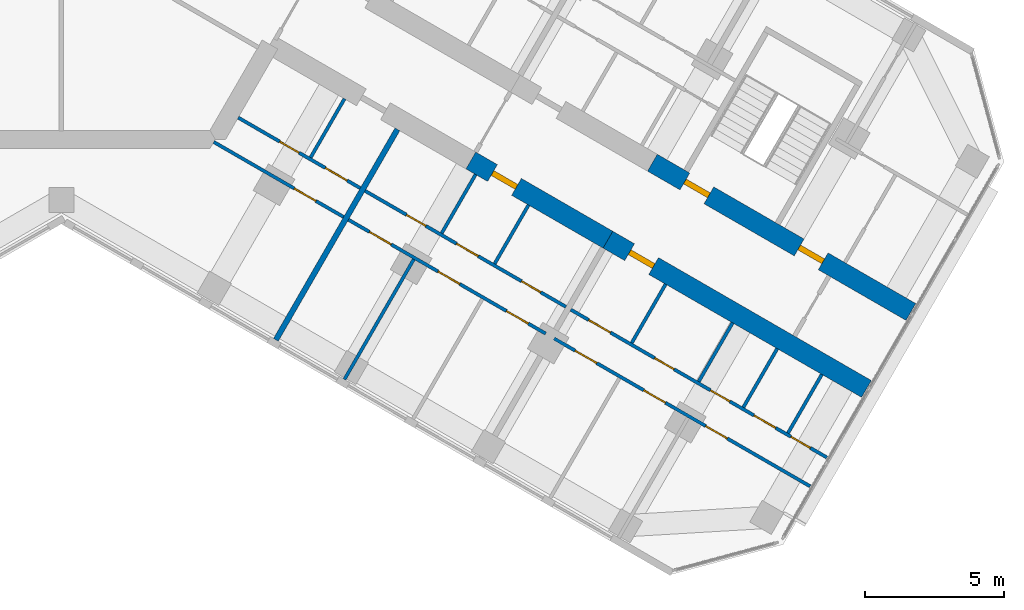
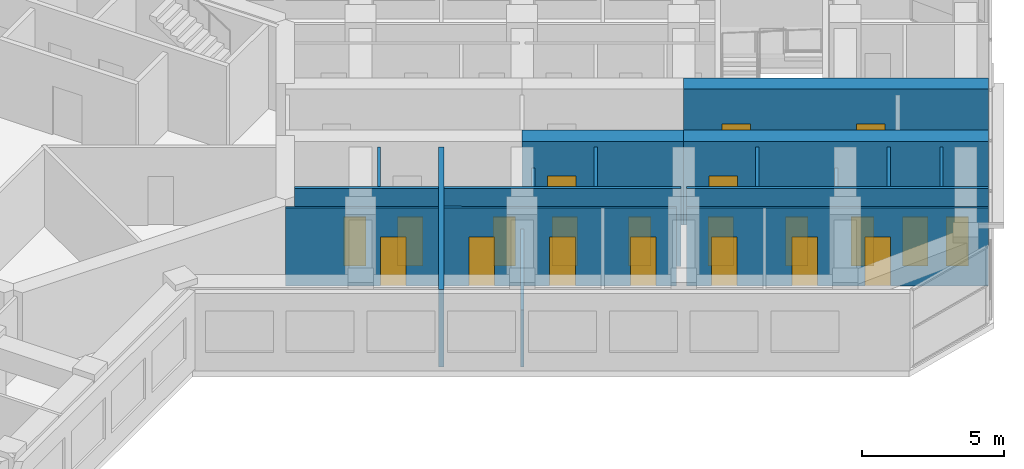
# One storey, part 11 of 16: 21 doors, 18 walls, 21 openings.
"""IFC4 building model written with IfcOpenShell, lengths in metres."""

from ifc_helpers import new_model, si_unit, direction, frame, frame_2d, origin, place, context, subcontext, project, spatial, rectangle, extrude, material, layer, layer_set, type_object, element, fill, save


model = new_model("IFC4")

# Units and contexts
model_context = context("Model", 3, precision=1e-05, world=origin(), true_north=direction((0.0, 1.0)))
body_context = subcontext(model_context, "Body", "Model", "MODEL_VIEW")
ifc_project = project(units=[si_unit("LENGTHUNIT", "METRE"), si_unit("AREAUNIT", "SQUARE_METRE"), si_unit("VOLUMEUNIT", "CUBIC_METRE"), si_unit("PLANEANGLEUNIT", "RADIAN"), si_unit("MASSUNIT", "GRAM", prefix="KILO")], contexts=[model_context])

# Site, building, storey
site_placement = place(None, origin())
site = spatial("IfcSite", under=ifc_project, at=site_placement, CompositionType="ELEMENT")
building_placement = place(site_placement, origin())
building = spatial("IfcBuilding", under=site, at=building_placement, Name="Kosmar Iwan School Tower", CompositionType="ELEMENT")
storey_placement = place(building_placement, frame((0.0, 0.0, 219.0)))
storey = spatial("IfcBuildingStorey", under=building, at=storey_placement, Name="L55", CompositionType="ELEMENT", Elevation=219.0)

# Wall, openings, doors
ifc_material_1 = material(Name="Concrete C50/60", Category="concrete")
ifc_layer_1 = layer(ifc_material_1, 0.699951171875)
ifc_layer_set_1 = layer_set([ifc_layer_1], Name="Corridor buttress wall 700")
wall_type_1 = type_object("IfcWallType", Name="Corridor buttress wall 700", PredefinedType="SHEAR", material=ifc_layer_set_1)
wall_1_placement = place(storey_placement, frame((21.281494140625, -10.439453125, 0.0), z_axis=(0.0, 0.0, 1.0), x_axis=(0.866032345022, -0.499987977232, 0.0)))
wall_1 = element("IfcWall", 1, at=wall_1_placement, inside=storey, type_object=wall_type_1, Name="Corridor wall CL bay 3", PredefinedType="SHEAR", context=body_context, shape_type="SweptSolid", body=[
    extrude(rectangle(XDim=10.744873046875, YDim=0.699951171875, at=frame_2d((5.37255859375, 0.0))), origin(), (0.0, 0.0, 1.0), 3.60009765625),
])
opening_1_placement = place(wall_1_placement, frame((6.10009765625, 0.0, 0.0)))
opening_1 = element("IfcOpeningElement", 2, at=opening_1_placement, cuts=wall_1, Name="Opening D1", PredefinedType="OPENING", context=body_context, shape_type="SweptSolid", body=[
    extrude(rectangle(XDim=1.0, YDim=2.10009765625, at=frame_2d((0.5, 1.050048828125))), frame((0.0, 0.362060546875, 0.0), z_axis=(0.0, -1.0, 0.0), x_axis=(1.0, 0.0, 0.0)), (0.0, 0.0, 1.0), 0.723876953125),
])
opening_2_placement = place(wall_1_placement, frame((1.35009765625, 0.0, 0.0)))
opening_2 = element("IfcOpeningElement", 3, at=opening_2_placement, cuts=wall_1, Name="Opening D6", PredefinedType="OPENING", context=body_context, shape_type="SweptSolid", body=[
    extrude(rectangle(XDim=1.0, YDim=2.10009765625, at=frame_2d((0.5, 1.050048828125))), frame((0.0, 0.362060546875, 0.0), z_axis=(0.0, -1.0, 0.0), x_axis=(1.0, 0.0, 0.0)), (0.0, 0.0, 1.0), 0.723876953125),
])
ifc_material_2 = material(Name="Timber fire door in steel frame", Category="steel")
door_type_1 = type_object("IfcDoorType", Name="Flat entrance door 1000x2100", OperationType="SINGLE_SWING_LEFT", PredefinedType="DOOR", material=ifc_material_2)
door_1_placement = place(opening_1_placement, origin())
door_1 = element("IfcDoor", 4, at=door_1_placement, inside=storey, type_object=door_type_1, Name="Flat L55-CL3 entrance door", OperationType="SINGLE_SWING_RIGHT", OverallHeight=2.10009765625, OverallWidth=1.0, PredefinedType="DOOR", context=body_context, shape_type="SweptSolid", body=[
    extrude(rectangle(XDim=1.0, YDim=2.10009765625, at=frame_2d((0.5, 1.050048828125))), frame((0.0, 0.10009765625, 0.0), z_axis=(0.0, -1.0, 0.0), x_axis=(1.0, 0.0, 0.0)), (0.0, 0.0, 1.0), 0.199951171875),
])
fill(opening_1, door_1)
ifc_material_3 = material(Name="Steel fire door", Category="steel")
door_type_2 = type_object("IfcDoorType", Name="Stair door 1000x2100", OperationType="SINGLE_SWING_LEFT", PredefinedType="DOOR", material=ifc_material_3)
door_2_placement = place(opening_2_placement, origin())
door_2 = element("IfcDoor", 5, at=door_2_placement, inside=storey, type_object=door_type_2, Name="Stair WS3 door L55", OperationType="SINGLE_SWING_LEFT", OverallHeight=2.10009765625, OverallWidth=1.0, PredefinedType="DOOR", context=body_context, shape_type="SweptSolid", body=[
    extrude(rectangle(XDim=1.0, YDim=2.10009765625, at=frame_2d((0.5, 1.050048828125))), frame((0.0, 0.10009765625, 0.0), z_axis=(0.0, -1.0, 0.0), x_axis=(1.0, 0.0, 0.0)), (0.0, 0.0, 1.0), 0.199951171875),
])
fill(opening_2, door_2)

# Wall, opening, door
wall_2_placement = place(storey_placement, frame((14.7451171875, -10.360595703125, 0.0), z_axis=(0.0, 0.0, 1.0), x_axis=(0.866015111908, -0.50001782563, 0.0)))
wall_2 = element("IfcWall", 6, at=wall_2_placement, inside=storey, type_object=wall_type_1, Name="Corridor wall CR bay 2", PredefinedType="SHEAR", context=body_context, shape_type="SweptSolid", body=[
    extrude(rectangle(XDim=5.699951171875, YDim=0.699951171875, at=frame_2d((2.85009765625, 0.0))), origin(), (0.0, 0.0, 1.0), 3.60009765625),
])
opening_3_placement = place(wall_2_placement, frame((0.89990234375, 0.0, 0.0)))
opening_3 = element("IfcOpeningElement", 7, at=opening_3_placement, cuts=wall_2, Name="Opening D1", PredefinedType="OPENING", context=body_context, shape_type="SweptSolid", body=[
    extrude(rectangle(XDim=1.0, YDim=2.10009765625, at=frame_2d((0.5, 1.050048828125))), frame((0.0, 0.362060546875, 0.0), z_axis=(0.0, -1.0, 0.0), x_axis=(1.0, 0.0, 0.0)), (0.0, 0.0, 1.0), 0.723876953125),
])
door_3_placement = place(opening_3_placement, origin())
door_3 = element("IfcDoor", 8, at=door_3_placement, inside=storey, type_object=door_type_1, Name="Flat L55-CR2 entrance door", OperationType="SINGLE_SWING_LEFT", OverallHeight=2.10009765625, OverallWidth=1.0, PredefinedType="DOOR", context=body_context, shape_type="SweptSolid", body=[
    extrude(rectangle(XDim=1.0, YDim=2.10009765625, at=frame_2d((0.5, 1.050048828125))), frame((0.0, 0.10009765625, 0.0), z_axis=(0.0, -1.0, 0.0), x_axis=(1.0, 0.0, 0.0)), (0.0, 0.0, 1.0), 0.199951171875),
])
fill(opening_3, door_3)

wall_3_placement = place(storey_placement, frame((19.681396484375, -13.210693359375, 0.0), z_axis=(0.0, 0.0, 1.0), x_axis=(0.866028186671, -0.499995179869, 0.0)))
wall_3 = element("IfcWall", 9, at=wall_3_placement, inside=storey, type_object=wall_type_1, Name="Corridor wall CR bay 3", PredefinedType="SHEAR", context=body_context, shape_type="SweptSolid", body=[
    extrude(rectangle(XDim=10.7451171875, YDim=0.699951171875, at=frame_2d((5.37255859375, 0.0))), origin(), (0.0, 0.0, 1.0), 3.60009765625),
])
opening_4_placement = place(wall_3_placement, frame((0.89990234375, 0.0, 0.0)))
opening_4 = element("IfcOpeningElement", 10, at=opening_4_placement, cuts=wall_3, Name="Opening D1", PredefinedType="OPENING", context=body_context, shape_type="SweptSolid", body=[
    extrude(rectangle(XDim=1.0, YDim=2.10009765625, at=frame_2d((0.5, 1.050048828125))), frame((0.0, 0.362060546875, 0.0), z_axis=(0.0, -1.0, 0.0), x_axis=(1.0, 0.0, 0.0)), (0.0, 0.0, 1.0), 0.723876953125),
])
door_4_placement = place(opening_4_placement, origin())
door_4 = element("IfcDoor", 11, at=door_4_placement, inside=storey, type_object=door_type_1, Name="Flat L55-CR3 entrance door", OperationType="SINGLE_SWING_LEFT", OverallHeight=2.10009765625, OverallWidth=1.0, PredefinedType="DOOR", context=body_context, shape_type="SweptSolid", body=[
    extrude(rectangle(XDim=1.0, YDim=2.10009765625, at=frame_2d((0.5, 1.050048828125))), frame((0.0, 0.10009765625, 0.0), z_axis=(0.0, -1.0, 0.0), x_axis=(1.0, 0.0, 0.0)), (0.0, 0.0, 1.0), 0.199951171875),
])
fill(opening_4, door_4)

# Wall, openings, doors
ifc_material_4 = material(Name="Gypsum board on steel studs", Category="steel")
ifc_layer_2 = layer(ifc_material_4, 0.1201171875)
ifc_layer_set_2 = layer_set([ifc_layer_2], Name="Dwelling partition 120")
wall_type_2 = type_object("IfcWallType", Name="Dwelling partition 120", PredefinedType="PARTITIONING", material=ifc_layer_set_2)
wall_4_placement = place(storey_placement, frame((6.370361328125, -8.81640625, 0.0), z_axis=(0.0, 0.0, 1.0), x_axis=(0.866034976542, -0.499983419131, 0.0)))
wall_4 = element("IfcWall", 12, at=wall_4_placement, inside=storey, type_object=wall_type_2, Name="Partition L55-CR1-W1", PredefinedType="PARTITIONING", context=body_context, shape_type="SweptSolid", body=[
    extrude(rectangle(XDim=5.074951171875, YDim=0.1201171875, at=frame_2d((2.53759765625, 0.0))), origin(), (0.0, 0.0, 1.0), 3.35009765625),
])
opening_5_placement = place(wall_4_placement, frame((1.72509765625, 0.0, 0.0)))
opening_5 = element("IfcOpeningElement", 13, at=opening_5_placement, cuts=wall_4, Name="Opening D3", PredefinedType="OPENING", context=body_context, shape_type="SweptSolid", body=[
    extrude(rectangle(XDim=0.800048828125, YDim=2.10009765625, at=frame_2d((0.39990234375, 1.050048828125))), frame((0.0, 0.072021484375, 0.0), z_axis=(0.0, -1.0, 0.0), x_axis=(1.0, 0.0, 0.0)), (0.0, 0.0, 1.0), 0.14404296875),
])
opening_6_placement = place(wall_4_placement, frame((3.625, 0.0, 0.0)))
opening_6 = element("IfcOpeningElement", 14, at=opening_6_placement, cuts=wall_4, Name="Opening D2", PredefinedType="OPENING", context=body_context, shape_type="SweptSolid", body=[
    extrude(rectangle(XDim=0.89990234375, YDim=2.10009765625, at=frame_2d((0.449951171875, 1.050048828125))), frame((0.0, 0.072021484375, 0.0), z_axis=(0.0, -1.0, 0.0), x_axis=(1.0, 0.0, 0.0)), (0.0, 0.0, 1.0), 0.14404296875),
])
ifc_material_5 = material(Name="Timber door in timber frame", Category="wood")
door_type_3 = type_object("IfcDoorType", Name="Internal door 900x2100", OperationType="SINGLE_SWING_LEFT", PredefinedType="DOOR", material=ifc_material_5)
door_5_placement = place(opening_6_placement, origin())
door_5 = element("IfcDoor", 15, at=door_5_placement, inside=storey, type_object=door_type_3, Name="Entrance hall door L55-CR1-S2", OperationType="SINGLE_SWING_RIGHT", OverallHeight=2.10009765625, OverallWidth=0.89990234375, PredefinedType="DOOR", context=body_context, shape_type="SweptSolid", body=[
    extrude(rectangle(XDim=0.89990234375, YDim=2.10009765625, at=frame_2d((0.449951171875, 1.050048828125))), frame((0.0, 0.02490234375, 0.0), z_axis=(0.0, -1.0, 0.0), x_axis=(1.0, 0.0, 0.0)), (0.0, 0.0, 1.0), 0.050048828125),
])
fill(opening_6, door_5)
ifc_material_6 = material(Name="Timber door in timber frame", Category="wood")
door_type_4 = type_object("IfcDoorType", Name="Sanitary room door 800x2100", OperationType="SINGLE_SWING_LEFT", PredefinedType="DOOR", material=ifc_material_6)
door_6_placement = place(opening_5_placement, origin())
door_6 = element("IfcDoor", 16, at=door_6_placement, inside=storey, type_object=door_type_4, Name="Bathroom door L55-CR1-S1", OperationType="SINGLE_SWING_RIGHT", OverallHeight=2.10009765625, OverallWidth=0.800048828125, PredefinedType="DOOR", context=body_context, shape_type="SweptSolid", body=[
    extrude(rectangle(XDim=0.800048828125, YDim=2.10009765625, at=frame_2d((0.39990234375, 1.050048828125))), frame((0.0, 0.02490234375, 0.0), z_axis=(0.0, -1.0, 0.0), x_axis=(1.0, 0.0, 0.0)), (0.0, 0.0, 1.0), 0.050048828125),
])
fill(opening_5, door_6)

# Wall, opening, door
wall_5_placement = place(storey_placement, frame((5.48876953125, -9.693115234375, 0.0), z_axis=(0.0, 0.0, 1.0), x_axis=(0.866028230842, -0.499995103361, 0.0)))
wall_5 = element("IfcWall", 17, at=wall_5_placement, inside=storey, type_object=wall_type_2, Name="Partition L55-CR1-W2", PredefinedType="PARTITIONING", context=body_context, shape_type="SweptSolid", body=[
    extrude(rectangle(XDim=5.39990234375, YDim=0.1201171875, at=frame_2d((2.699951171875, 0.0))), origin(), (0.0, 0.0, 1.0), 3.35009765625),
])
opening_7_placement = place(wall_5_placement, frame((3.35009765625, 0.0, 0.0)))
opening_7 = element("IfcOpeningElement", 18, at=opening_7_placement, cuts=wall_5, Name="Opening D2", PredefinedType="OPENING", context=body_context, shape_type="SweptSolid", body=[
    extrude(rectangle(XDim=0.89990234375, YDim=2.10009765625, at=frame_2d((0.449951171875, 1.050048828125))), frame((0.0, 0.072021484375, 0.0), z_axis=(0.0, -1.0, 0.0), x_axis=(1.0, 0.0, 0.0)), (0.0, 0.0, 1.0), 0.14404296875),
])
door_7_placement = place(opening_7_placement, origin())
door_7 = element("IfcDoor", 19, at=door_7_placement, inside=storey, type_object=door_type_3, Name="Studio living room and kitchen door L55-CR1-F1", OperationType="SINGLE_SWING_RIGHT", OverallHeight=2.10009765625, OverallWidth=0.89990234375, PredefinedType="DOOR", context=body_context, shape_type="SweptSolid", body=[
    extrude(rectangle(XDim=0.89990234375, YDim=2.10009765625, at=frame_2d((0.449951171875, 1.050048828125))), frame((0.0, 0.02490234375, 0.0), z_axis=(0.0, -1.0, 0.0), x_axis=(1.0, 0.0, 0.0)), (0.0, 0.0, 1.0), 0.050048828125),
])
fill(opening_7, door_7)

# Wall
wall_6_placement = place(storey_placement, frame((10.19677734375, -8.138671875, 0.0), z_axis=(0.0, 0.0, 1.0), x_axis=(-0.499959183527, -0.866048967903, 0.0)))
element("IfcWall", 20, at=wall_6_placement, inside=storey, type_object=wall_type_2, Name="Partition L55-CR1-Y1", PredefinedType="PARTITIONING", context=body_context, shape_type="SweptSolid", body=[
    extrude(rectangle(XDim=2.440185546875, YDim=0.1201171875, at=frame_2d((1.22021484375, 0.0))), origin(), (0.0, 0.0, 1.0), 3.35009765625),
])

# Wall, openings, doors
wall_7_placement = place(storey_placement, frame((10.9384765625, -11.453857421875, 0.0), z_axis=(0.0, 0.0, 1.0), x_axis=(0.866026859388, -0.499997478812, 0.0)))
wall_7 = element("IfcWall", 21, at=wall_7_placement, inside=storey, type_object=wall_type_2, Name="Partition L55-CR2-W1", PredefinedType="PARTITIONING", context=body_context, shape_type="SweptSolid", body=[
    extrude(rectangle(XDim=8.35009765625, YDim=0.1201171875, at=frame_2d((4.175048828125, 0.0))), origin(), (0.0, 0.0, 1.0), 3.35009765625),
])
opening_8_placement = place(wall_7_placement, frame((1.72509765625, 0.0, 0.0)))
opening_8 = element("IfcOpeningElement", 22, at=opening_8_placement, cuts=wall_7, Name="Opening D3", PredefinedType="OPENING", context=body_context, shape_type="SweptSolid", body=[
    extrude(rectangle(XDim=0.800048828125, YDim=2.10009765625, at=frame_2d((0.39990234375, 1.050048828125))), frame((0.0, 0.072021484375, 0.0), z_axis=(0.0, -1.0, 0.0), x_axis=(1.0, 0.0, 0.0)), (0.0, 0.0, 1.0), 0.14404296875),
])
opening_9_placement = place(wall_7_placement, frame((3.800048828125, 0.0, 0.0)))
opening_9 = element("IfcOpeningElement", 23, at=opening_9_placement, cuts=wall_7, Name="Opening D2", PredefinedType="OPENING", context=body_context, shape_type="SweptSolid", body=[
    extrude(rectangle(XDim=0.89990234375, YDim=2.10009765625, at=frame_2d((0.449951171875, 1.050048828125))), frame((0.0, 0.072021484375, 0.0), z_axis=(0.0, -1.0, 0.0), x_axis=(1.0, 0.0, 0.0)), (0.0, 0.0, 1.0), 0.14404296875),
])
opening_10_placement = place(wall_7_placement, frame((6.5, 0.0, 0.0)))
opening_10 = element("IfcOpeningElement", 24, at=opening_10_placement, cuts=wall_7, Name="Opening D3", PredefinedType="OPENING", context=body_context, shape_type="SweptSolid", body=[
    extrude(rectangle(XDim=0.800048828125, YDim=2.10009765625, at=frame_2d((0.39990234375, 1.050048828125))), frame((0.0, 0.072021484375, 0.0), z_axis=(0.0, -1.0, 0.0), x_axis=(1.0, 0.0, 0.0)), (0.0, 0.0, 1.0), 0.14404296875),
])
door_8_placement = place(opening_9_placement, origin())
door_8 = element("IfcDoor", 25, at=door_8_placement, inside=storey, type_object=door_type_3, Name="Entrance hall door L55-CR2-S2", OperationType="SINGLE_SWING_LEFT", OverallHeight=2.10009765625, OverallWidth=0.89990234375, PredefinedType="DOOR", context=body_context, shape_type="SweptSolid", body=[
    extrude(rectangle(XDim=0.89990234375, YDim=2.10009765625, at=frame_2d((0.449951171875, 1.050048828125))), frame((0.0, 0.02490234375, 0.0), z_axis=(0.0, -1.0, 0.0), x_axis=(1.0, 0.0, 0.0)), (0.0, 0.0, 1.0), 0.050048828125),
])
fill(opening_9, door_8)
door_9_placement = place(opening_8_placement, origin())
door_9 = element("IfcDoor", 26, at=door_9_placement, inside=storey, type_object=door_type_4, Name="Bathroom door L55-CR2-S1", OperationType="SINGLE_SWING_RIGHT", OverallHeight=2.10009765625, OverallWidth=0.800048828125, PredefinedType="DOOR", context=body_context, shape_type="SweptSolid", body=[
    extrude(rectangle(XDim=0.800048828125, YDim=2.10009765625, at=frame_2d((0.39990234375, 1.050048828125))), frame((0.0, 0.02490234375, 0.0), z_axis=(0.0, -1.0, 0.0), x_axis=(1.0, 0.0, 0.0)), (0.0, 0.0, 1.0), 0.050048828125),
])
fill(opening_8, door_9)
door_10_placement = place(opening_10_placement, origin())
door_10 = element("IfcDoor", 27, at=door_10_placement, inside=storey, type_object=door_type_4, Name="Grandparents' shower room door L55-CR2-S3", OperationType="SINGLE_SWING_RIGHT", OverallHeight=2.10009765625, OverallWidth=0.800048828125, PredefinedType="DOOR", context=body_context, shape_type="SweptSolid", body=[
    extrude(rectangle(XDim=0.800048828125, YDim=2.10009765625, at=frame_2d((0.39990234375, 1.050048828125))), frame((0.0, 0.02490234375, 0.0), z_axis=(0.0, -1.0, 0.0), x_axis=(1.0, 0.0, 0.0)), (0.0, 0.0, 1.0), 0.050048828125),
])
fill(opening_10, door_10)

wall_8_placement = place(storey_placement, frame((10.338623046875, -12.492919921875, 0.0), z_axis=(0.0, 0.0, 1.0), x_axis=(0.866017504342, -0.500013681986, 0.0)))
wall_8 = element("IfcWall", 28, at=wall_8_placement, inside=storey, type_object=wall_type_2, Name="Partition L55-CR2-W2", PredefinedType="PARTITIONING", context=body_context, shape_type="SweptSolid", body=[
    extrude(rectangle(XDim=8.199951171875, YDim=0.1201171875, at=frame_2d((4.10009765625, 0.0))), origin(), (0.0, 0.0, 1.0), 3.35009765625),
])
opening_11_placement = place(wall_8_placement, frame((0.875, 0.0, 0.0)))
opening_11 = element("IfcOpeningElement", 29, at=opening_11_placement, cuts=wall_8, Name="Opening D2", PredefinedType="OPENING", context=body_context, shape_type="SweptSolid", body=[
    extrude(rectangle(XDim=0.89990234375, YDim=2.10009765625, at=frame_2d((0.449951171875, 1.050048828125))), frame((0.0, 0.072021484375, 0.0), z_axis=(0.0, -1.0, 0.0), x_axis=(1.0, 0.0, 0.0)), (0.0, 0.0, 1.0), 0.14404296875),
])
opening_12_placement = place(wall_8_placement, frame((3.72509765625, 0.0, 0.0)))
opening_12 = element("IfcOpeningElement", 30, at=opening_12_placement, cuts=wall_8, Name="Opening D2", PredefinedType="OPENING", context=body_context, shape_type="SweptSolid", body=[
    extrude(rectangle(XDim=0.89990234375, YDim=2.10009765625, at=frame_2d((0.449951171875, 1.050048828125))), frame((0.0, 0.072021484375, 0.0), z_axis=(0.0, -1.0, 0.0), x_axis=(1.0, 0.0, 0.0)), (0.0, 0.0, 1.0), 0.14404296875),
])
opening_13_placement = place(wall_8_placement, frame((6.574951171875, 0.0, 0.0)))
opening_13 = element("IfcOpeningElement", 31, at=opening_13_placement, cuts=wall_8, Name="Opening D2", PredefinedType="OPENING", context=body_context, shape_type="SweptSolid", body=[
    extrude(rectangle(XDim=0.89990234375, YDim=2.10009765625, at=frame_2d((0.449951171875, 1.050048828125))), frame((0.0, 0.072021484375, 0.0), z_axis=(0.0, -1.0, 0.0), x_axis=(1.0, 0.0, 0.0)), (0.0, 0.0, 1.0), 0.14404296875),
])
door_11_placement = place(opening_11_placement, origin())
door_11 = element("IfcDoor", 32, at=door_11_placement, inside=storey, type_object=door_type_3, Name="Grandparents' suite door L55-CR2-F1", OperationType="SINGLE_SWING_LEFT", OverallHeight=2.10009765625, OverallWidth=0.89990234375, PredefinedType="DOOR", context=body_context, shape_type="SweptSolid", body=[
    extrude(rectangle(XDim=0.89990234375, YDim=2.10009765625, at=frame_2d((0.449951171875, 1.050048828125))), frame((0.0, 0.02490234375, 0.0), z_axis=(0.0, -1.0, 0.0), x_axis=(1.0, 0.0, 0.0)), (0.0, 0.0, 1.0), 0.050048828125),
])
fill(opening_11, door_11)
door_12_placement = place(opening_12_placement, origin())
door_12 = element("IfcDoor", 33, at=door_12_placement, inside=storey, type_object=door_type_3, Name="Living room and kitchen door L55-CR2-F2", OperationType="SINGLE_SWING_RIGHT", OverallHeight=2.10009765625, OverallWidth=0.89990234375, PredefinedType="DOOR", context=body_context, shape_type="SweptSolid", body=[
    extrude(rectangle(XDim=0.89990234375, YDim=2.10009765625, at=frame_2d((0.449951171875, 1.050048828125))), frame((0.0, 0.02490234375, 0.0), z_axis=(0.0, -1.0, 0.0), x_axis=(1.0, 0.0, 0.0)), (0.0, 0.0, 1.0), 0.050048828125),
])
fill(opening_12, door_12)
door_13_placement = place(opening_13_placement, origin())
door_13 = element("IfcDoor", 34, at=door_13_placement, inside=storey, type_object=door_type_3, Name="Bedroom 1 door L55-CR2-F3", OperationType="SINGLE_SWING_RIGHT", OverallHeight=2.10009765625, OverallWidth=0.89990234375, PredefinedType="DOOR", context=body_context, shape_type="SweptSolid", body=[
    extrude(rectangle(XDim=0.89990234375, YDim=2.10009765625, at=frame_2d((0.449951171875, 1.050048828125))), frame((0.0, 0.02490234375, 0.0), z_axis=(0.0, -1.0, 0.0), x_axis=(1.0, 0.0, 0.0)), (0.0, 0.0, 1.0), 0.050048828125),
])
fill(opening_13, door_13)

# Walls
wall_9_placement = place(storey_placement, frame((12.690185546875, -13.919921875, 0.0), z_axis=(0.0, 0.0, 1.0), x_axis=(-0.500011847778, -0.866018563358, 0.0)))
element("IfcWall", 35, at=wall_9_placement, inside=storey, type_object=wall_type_2, Name="Partition L55-CR2-X1", PredefinedType="PARTITIONING", context=body_context, shape_type="SweptSolid", body=[
    extrude(rectangle(XDim=4.990234375, YDim=0.1201171875, at=frame_2d((2.4951171875, 0.0))), origin(), (0.0, 0.0, 1.0), 2.449951171875),
])
wall_10_placement = place(storey_placement, frame((14.91650390625, -10.86376953125, 0.0), z_axis=(0.0, 0.0, 1.0), x_axis=(-0.500002508028, -0.866023955769, 0.0)))
element("IfcWall", 36, at=wall_10_placement, inside=storey, type_object=wall_type_2, Name="Partition L55-CR2-Y1", PredefinedType="PARTITIONING", context=body_context, shape_type="SweptSolid", body=[
    extrude(rectangle(XDim=2.43994140625, YDim=0.1201171875, at=frame_2d((1.219970703125, 0.0))), origin(), (0.0, 0.0, 1.0), 2.449951171875),
])
wall_11_placement = place(storey_placement, frame((16.82177734375, -11.963623046875, 0.0), z_axis=(0.0, 0.0, 1.0), x_axis=(-0.499959183527, -0.866048967903, 0.0)))
element("IfcWall", 37, at=wall_11_placement, inside=storey, type_object=wall_type_2, Name="Partition L55-CR2-Y2", PredefinedType="PARTITIONING", context=body_context, shape_type="SweptSolid", body=[
    extrude(rectangle(XDim=2.440185546875, YDim=0.1201171875, at=frame_2d((1.22021484375, 0.0))), origin(), (0.0, 0.0, 1.0), 3.35009765625),
])

# Wall, openings, doors
wall_12_placement = place(storey_placement, frame((18.343017578125, -15.728759765625, 0.0), z_axis=(0.0, 0.0, 1.0), x_axis=(0.866028616566, -0.499994435258, 0.0)))
wall_12 = element("IfcWall", 38, at=wall_12_placement, inside=storey, type_object=wall_type_2, Name="Partition L55-CR3-W1", PredefinedType="PARTITIONING", context=body_context, shape_type="SweptSolid", body=[
    extrude(rectangle(XDim=10.64501953125, YDim=0.1201171875, at=frame_2d((5.322509765625, 0.0))), origin(), (0.0, 0.0, 1.0), 3.35009765625),
])
opening_14_placement = place(wall_12_placement, frame((0.75, 0.0, 0.0)))
opening_14 = element("IfcOpeningElement", 39, at=opening_14_placement, cuts=wall_12, Name="Opening D2", PredefinedType="OPENING", context=body_context, shape_type="SweptSolid", body=[
    extrude(rectangle(XDim=0.89990234375, YDim=2.10009765625, at=frame_2d((0.449951171875, 1.050048828125))), frame((0.0, 0.072021484375, 0.0), z_axis=(0.0, -1.0, 0.0), x_axis=(1.0, 0.0, 0.0)), (0.0, 0.0, 1.0), 0.14404296875),
])
opening_15_placement = place(wall_12_placement, frame((3.49169921875, 0.0, 0.0)))
opening_15 = element("IfcOpeningElement", 40, at=opening_15_placement, cuts=wall_12, Name="Opening D3", PredefinedType="OPENING", context=body_context, shape_type="SweptSolid", body=[
    extrude(rectangle(XDim=0.800048828125, YDim=2.10009765625, at=frame_2d((0.39990234375, 1.050048828125))), frame((0.0, 0.072021484375, 0.0), z_axis=(0.0, -1.0, 0.0), x_axis=(1.0, 0.0, 0.0)), (0.0, 0.0, 1.0), 0.14404296875),
])
opening_16_placement = place(wall_12_placement, frame((5.81103515625, 0.0, 0.0)))
opening_16 = element("IfcOpeningElement", 41, at=opening_16_placement, cuts=wall_12, Name="Opening D3", PredefinedType="OPENING", context=body_context, shape_type="SweptSolid", body=[
    extrude(rectangle(XDim=0.800048828125, YDim=2.10009765625, at=frame_2d((0.39990234375, 1.050048828125))), frame((0.0, 0.072021484375, 0.0), z_axis=(0.0, -1.0, 0.0), x_axis=(1.0, 0.0, 0.0)), (0.0, 0.0, 1.0), 0.14404296875),
])
opening_17_placement = place(wall_12_placement, frame((7.61669921875, 0.0, 0.0)))
opening_17 = element("IfcOpeningElement", 42, at=opening_17_placement, cuts=wall_12, Name="Opening D2", PredefinedType="OPENING", context=body_context, shape_type="SweptSolid", body=[
    extrude(rectangle(XDim=0.89990234375, YDim=2.10009765625, at=frame_2d((0.449951171875, 1.050048828125))), frame((0.0, 0.072021484375, 0.0), z_axis=(0.0, -1.0, 0.0), x_axis=(1.0, 0.0, 0.0)), (0.0, 0.0, 1.0), 0.14404296875),
])
opening_18_placement = place(wall_12_placement, frame((9.154541015625, 0.0, 0.0)))
opening_18 = element("IfcOpeningElement", 43, at=opening_18_placement, cuts=wall_12, Name="Opening D3", PredefinedType="OPENING", context=body_context, shape_type="SweptSolid", body=[
    extrude(rectangle(XDim=0.800048828125, YDim=2.10009765625, at=frame_2d((0.39990234375, 1.050048828125))), frame((0.0, 0.072021484375, 0.0), z_axis=(0.0, -1.0, 0.0), x_axis=(1.0, 0.0, 0.0)), (0.0, 0.0, 1.0), 0.14404296875),
])
door_14_placement = place(opening_14_placement, origin())
door_14 = element("IfcDoor", 44, at=door_14_placement, inside=storey, type_object=door_type_3, Name="Entrance hall door L55-CR3-S1", OperationType="SINGLE_SWING_LEFT", OverallHeight=2.10009765625, OverallWidth=0.89990234375, PredefinedType="DOOR", context=body_context, shape_type="SweptSolid", body=[
    extrude(rectangle(XDim=0.89990234375, YDim=2.10009765625, at=frame_2d((0.449951171875, 1.050048828125))), frame((0.0, 0.02490234375, 0.0), z_axis=(0.0, -1.0, 0.0), x_axis=(1.0, 0.0, 0.0)), (0.0, 0.0, 1.0), 0.050048828125),
])
fill(opening_14, door_14)
door_15_placement = place(opening_17_placement, origin())
door_15 = element("IfcDoor", 45, at=door_15_placement, inside=storey, type_object=door_type_3, Name="Pantry door L55-CR3-S4", OperationType="SINGLE_SWING_RIGHT", OverallHeight=2.10009765625, OverallWidth=0.89990234375, PredefinedType="DOOR", context=body_context, shape_type="SweptSolid", body=[
    extrude(rectangle(XDim=0.89990234375, YDim=2.10009765625, at=frame_2d((0.449951171875, 1.050048828125))), frame((0.0, 0.02490234375, 0.0), z_axis=(0.0, -1.0, 0.0), x_axis=(1.0, 0.0, 0.0)), (0.0, 0.0, 1.0), 0.050048828125),
])
fill(opening_17, door_15)
door_16_placement = place(opening_15_placement, origin())
door_16 = element("IfcDoor", 46, at=door_16_placement, inside=storey, type_object=door_type_4, Name="Bathroom door L55-CR3-S2", OperationType="SINGLE_SWING_RIGHT", OverallHeight=2.10009765625, OverallWidth=0.800048828125, PredefinedType="DOOR", context=body_context, shape_type="SweptSolid", body=[
    extrude(rectangle(XDim=0.800048828125, YDim=2.10009765625, at=frame_2d((0.39990234375, 1.050048828125))), frame((0.0, 0.02490234375, 0.0), z_axis=(0.0, -1.0, 0.0), x_axis=(1.0, 0.0, 0.0)), (0.0, 0.0, 1.0), 0.050048828125),
])
fill(opening_15, door_16)
door_17_placement = place(opening_16_placement, origin())
door_17 = element("IfcDoor", 47, at=door_17_placement, inside=storey, type_object=door_type_4, Name="Shower room door L55-CR3-S3", OperationType="SINGLE_SWING_LEFT", OverallHeight=2.10009765625, OverallWidth=0.800048828125, PredefinedType="DOOR", context=body_context, shape_type="SweptSolid", body=[
    extrude(rectangle(XDim=0.800048828125, YDim=2.10009765625, at=frame_2d((0.39990234375, 1.050048828125))), frame((0.0, 0.02490234375, 0.0), z_axis=(0.0, -1.0, 0.0), x_axis=(1.0, 0.0, 0.0)), (0.0, 0.0, 1.0), 0.050048828125),
])
fill(opening_16, door_17)
door_18_placement = place(opening_18_placement, origin())
door_18 = element("IfcDoor", 48, at=door_18_placement, inside=storey, type_object=door_type_4, Name="WC door L55-CR3-S5", OperationType="SINGLE_SWING_LEFT", OverallHeight=2.10009765625, OverallWidth=0.800048828125, PredefinedType="DOOR", context=body_context, shape_type="SweptSolid", body=[
    extrude(rectangle(XDim=0.800048828125, YDim=2.10009765625, at=frame_2d((0.39990234375, 1.050048828125))), frame((0.0, 0.02490234375, 0.0), z_axis=(0.0, -1.0, 0.0), x_axis=(1.0, 0.0, 0.0)), (0.0, 0.0, 1.0), 0.050048828125),
])
fill(opening_18, door_18)

wall_13_placement = place(storey_placement, frame((17.7431640625, -16.76806640625, 0.0), z_axis=(0.0, 0.0, 1.0), x_axis=(0.866022882905, -0.500004366266, 0.0)))
wall_13 = element("IfcWall", 49, at=wall_13_placement, inside=storey, type_object=wall_type_2, Name="Partition L55-CR3-W2", PredefinedType="PARTITIONING", context=body_context, shape_type="SweptSolid", body=[
    extrude(rectangle(XDim=10.64501953125, YDim=0.1201171875, at=frame_2d((5.322509765625, 0.0))), origin(), (0.0, 0.0, 1.0), 3.35009765625),
])
opening_19_placement = place(wall_13_placement, frame((0.875, 0.0, 0.0)))
opening_19 = element("IfcOpeningElement", 50, at=opening_19_placement, cuts=wall_13, Name="Opening D2", PredefinedType="OPENING", context=body_context, shape_type="SweptSolid", body=[
    extrude(rectangle(XDim=0.89990234375, YDim=2.10009765625, at=frame_2d((0.449951171875, 1.050048828125))), frame((0.0, 0.072021484375, 0.0), z_axis=(0.0, -1.0, 0.0), x_axis=(1.0, 0.0, 0.0)), (0.0, 0.0, 1.0), 0.14404296875),
])
opening_20_placement = place(wall_13_placement, frame((3.72509765625, 0.0, 0.0)))
opening_20 = element("IfcOpeningElement", 51, at=opening_20_placement, cuts=wall_13, Name="Opening D2", PredefinedType="OPENING", context=body_context, shape_type="SweptSolid", body=[
    extrude(rectangle(XDim=0.89990234375, YDim=2.10009765625, at=frame_2d((0.449951171875, 1.050048828125))), frame((0.0, 0.072021484375, 0.0), z_axis=(0.0, -1.0, 0.0), x_axis=(1.0, 0.0, 0.0)), (0.0, 0.0, 1.0), 0.14404296875),
])
opening_21_placement = place(wall_13_placement, frame((6.300048828125, 0.0, 0.0)))
opening_21 = element("IfcOpeningElement", 52, at=opening_21_placement, cuts=wall_13, Name="Opening D2", PredefinedType="OPENING", context=body_context, shape_type="SweptSolid", body=[
    extrude(rectangle(XDim=0.89990234375, YDim=2.10009765625, at=frame_2d((0.449951171875, 1.050048828125))), frame((0.0, 0.072021484375, 0.0), z_axis=(0.0, -1.0, 0.0), x_axis=(1.0, 0.0, 0.0)), (0.0, 0.0, 1.0), 0.14404296875),
])
door_19_placement = place(opening_19_placement, origin())
door_19 = element("IfcDoor", 53, at=door_19_placement, inside=storey, type_object=door_type_3, Name="Bedroom 1 door L55-CR3-F1", OperationType="SINGLE_SWING_LEFT", OverallHeight=2.10009765625, OverallWidth=0.89990234375, PredefinedType="DOOR", context=body_context, shape_type="SweptSolid", body=[
    extrude(rectangle(XDim=0.89990234375, YDim=2.10009765625, at=frame_2d((0.449951171875, 1.050048828125))), frame((0.0, 0.02490234375, 0.0), z_axis=(0.0, -1.0, 0.0), x_axis=(1.0, 0.0, 0.0)), (0.0, 0.0, 1.0), 0.050048828125),
])
fill(opening_19, door_19)
door_20_placement = place(opening_20_placement, origin())
door_20 = element("IfcDoor", 54, at=door_20_placement, inside=storey, type_object=door_type_3, Name="Bedroom 2 door L55-CR3-F2", OperationType="SINGLE_SWING_LEFT", OverallHeight=2.10009765625, OverallWidth=0.89990234375, PredefinedType="DOOR", context=body_context, shape_type="SweptSolid", body=[
    extrude(rectangle(XDim=0.89990234375, YDim=2.10009765625, at=frame_2d((0.449951171875, 1.050048828125))), frame((0.0, 0.02490234375, 0.0), z_axis=(0.0, -1.0, 0.0), x_axis=(1.0, 0.0, 0.0)), (0.0, 0.0, 1.0), 0.050048828125),
])
fill(opening_20, door_20)
door_21_placement = place(opening_21_placement, origin())
door_21 = element("IfcDoor", 55, at=door_21_placement, inside=storey, type_object=door_type_3, Name="Living room and kitchen door L55-CR3-F3", OperationType="SINGLE_SWING_RIGHT", OverallHeight=2.10009765625, OverallWidth=0.89990234375, PredefinedType="DOOR", context=body_context, shape_type="SweptSolid", body=[
    extrude(rectangle(XDim=0.89990234375, YDim=2.10009765625, at=frame_2d((0.449951171875, 1.050048828125))), frame((0.0, 0.02490234375, 0.0), z_axis=(0.0, -1.0, 0.0), x_axis=(1.0, 0.0, 0.0)), (0.0, 0.0, 1.0), 0.050048828125),
])
fill(opening_21, door_21)

# Walls
wall_14_placement = place(storey_placement, frame((21.758056640625, -14.813720703125, 0.0), z_axis=(0.0, 0.0, 1.0), x_axis=(-0.500002508028, -0.866023955769, 0.0)))
element("IfcWall", 56, at=wall_14_placement, inside=storey, type_object=wall_type_2, Name="Partition L55-CR3-Y1", PredefinedType="PARTITIONING", context=body_context, shape_type="SweptSolid", body=[
    extrude(rectangle(XDim=2.43994140625, YDim=0.1201171875, at=frame_2d((1.219970703125, 0.0))), origin(), (0.0, 0.0, 1.0), 3.35009765625),
])
wall_15_placement = place(storey_placement, frame((24.168701171875, -16.205322265625, 0.0), z_axis=(0.0, 0.0, 1.0), x_axis=(-0.500034220881, -0.866005645448, 0.0)))
element("IfcWall", 57, at=wall_15_placement, inside=storey, type_object=wall_type_2, Name="Partition L55-CR3-Y2", PredefinedType="PARTITIONING", context=body_context, shape_type="SweptSolid", body=[
    extrude(rectangle(XDim=2.440185546875, YDim=0.1201171875, at=frame_2d((1.22021484375, 0.0))), origin(), (0.0, 0.0, 1.0), 2.449951171875),
])
for number, where, z_axis, x_axis, name in (
    (58, (25.775634765625, -17.13330078125, 0.0), (0.0, 0.0, 1.0), (-0.500002508028, -0.866023955769, 0.0), "Partition L55-CR3-Y3"),
    (59, (27.382568359375, -18.06103515625, 0.0), (0.0, 0.0, 1.0), (-0.500002508028, -0.866023955769, 0.0), "Partition L55-CR3-Y4"),
):
    element("IfcWall", number, at=place(storey_placement, frame(where, z_axis=z_axis, x_axis=x_axis)), inside=storey, type_object=wall_type_2, Name=name, PredefinedType="PARTITIONING", context=body_context, shape_type="SweptSolid", body=[
        extrude(rectangle(XDim=2.43994140625, YDim=0.1201171875, at=frame_2d((1.219970703125, 0.0))), origin(), (0.0, 0.0, 1.0), 3.35009765625),
    ])
ifc_material_7 = material(Name="Concrete block masonry", Category="masonry")
ifc_layer_3 = layer(ifc_material_7, 0.199951171875)
ifc_layer_set_3 = layer_set([ifc_layer_3], Name="Party wall 200")
wall_type_3 = type_object("IfcWallType", Name="Party wall 200", PredefinedType="PARTITIONING", material=ifc_layer_set_3)
wall_16_placement = place(storey_placement, frame((12.10205078125, -9.23876953125, 0.0), z_axis=(0.0, 0.0, 1.0), x_axis=(-0.500004234368, -0.866022959057, 0.0)))
element("IfcWall", 60, at=wall_16_placement, inside=storey, type_object=wall_type_3, Name="Partition L55-CR2-PW", PredefinedType="PARTITIONING", context=body_context, shape_type="SweptSolid", body=[
    extrude(rectangle(XDim=8.75, YDim=0.199951171875, at=frame_2d((4.375, 0.0))), origin(), (0.0, 0.0, 1.0), 3.35009765625),
])

save(model, "model.ifc")
